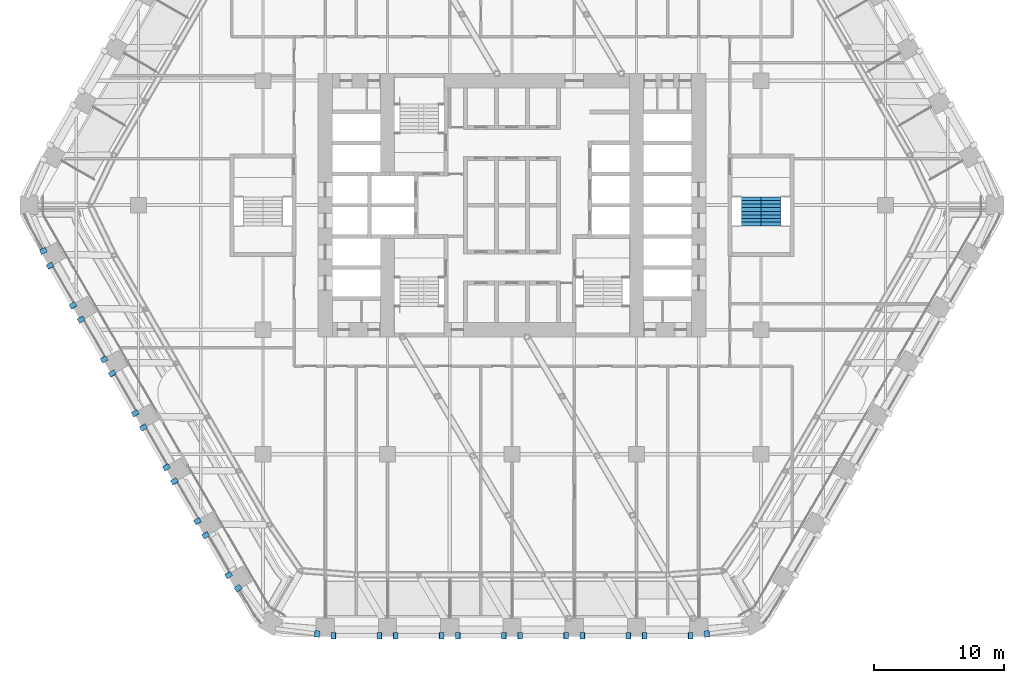
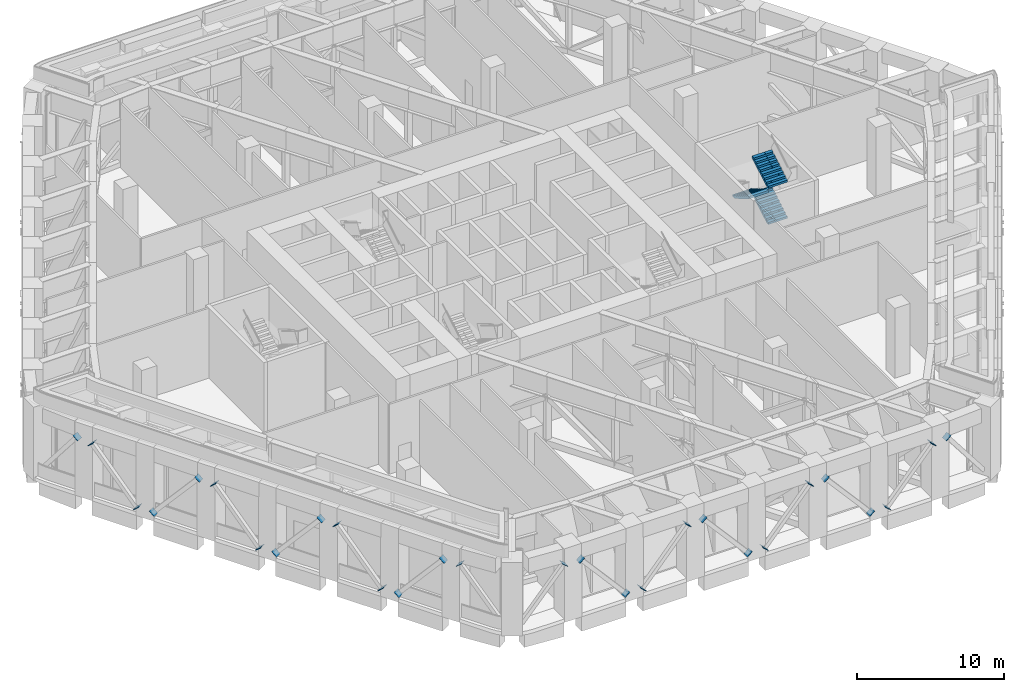
# One storey, part 27 of 35: 28 discrete accessories, 3 stair flights, 1 element without a shape of its own.
"""IFC4 building model written with IfcOpenShell, lengths in metres."""

import ifcopenshell
import ifcopenshell.guid

model = None  # the IFC model being written
_history = None  # IfcOwnerHistory: only IFC2X3 demands one
_inside = {}  # id of a spatial element -> (the spatial element, [elements in it])
_under = {}  # id of a project, library or spatial element -> (it, [spatial elements below it])
_declared = {}  # id of a project -> (the project, [libraries it declares])
_typed = {}  # id of a type object -> (the type object, [elements of that type])
_made_of = {}  # id of a material, layer set ... -> (it, [elements and type objects made of it])


def new_model(schema):
    """Start an empty IFC model of exactly this schema.

    Asked for "IFC4X3", IfcOpenShell would pick the latest addendum, in which some entities
    have other attributes; the version numbers below select the first issue.
    IFC2X3 requires an IfcOwnerHistory on every rooted entity: one is made here for all.
    """
    global model, _history
    if schema == "IFC4X3":
        model = ifcopenshell.file(schema_version=(4, 3, 0, 0))
    else:
        model = ifcopenshell.file(schema=schema)
    _inside.clear()
    _under.clear()
    _declared.clear()
    _typed.clear()
    _made_of.clear()
    _history = None
    if model.schema == "IFC2X3":
        org = make("IfcOrganization", Name="unknown")
        user = make(
            "IfcPersonAndOrganization",
            ThePerson=make("IfcPerson", FamilyName="unknown"),
            TheOrganization=org,
        )
        app = make(
            "IfcApplication",
            ApplicationDeveloper=org,
            Version="unknown",
            ApplicationFullName="unknown",
            ApplicationIdentifier="unknown",
        )
        _history = make(
            "IfcOwnerHistory",
            OwningUser=user,
            OwningApplication=app,
            ChangeAction="ADDED",
            CreationDate=0,
        )
    return model


def make(cls, **values):
    """One entity of the class cls with the attributes given. An attribute that is None is left unset."""
    return model.create_entity(
        cls, **{name: value for name, value in values.items() if value is not None}
    )


def rooted(cls, **values):
    """An entity with a GlobalId (a new one), such as an element, a storey or a relation."""
    return make(cls, GlobalId=ifcopenshell.guid.new(), OwnerHistory=_history, **values)


def si_unit(unit_type, name, prefix=None):
    """IfcSIUnit, for example si_unit("LENGTHUNIT", "METRE", prefix="MILLI")."""
    return make("IfcSIUnit", UnitType=unit_type, Prefix=prefix, Name=name)


def assignment(units):
    """IfcUnitAssignment: the units of a project."""
    return None if units is None else make("IfcUnitAssignment", Units=units)


def point(xyz):
    """IfcCartesianPoint."""
    return None if xyz is None else make("IfcCartesianPoint", Coordinates=xyz)


def direction(xyz):
    """IfcDirection."""
    return None if xyz is None else make("IfcDirection", DirectionRatios=xyz)


def frame(location, z_axis=None, x_axis=None):
    """IfcAxis2Placement3D, a coordinate frame: its origin and axes. An axis left out is left unset."""
    return make(
        "IfcAxis2Placement3D",
        Location=point(location),
        Axis=direction(z_axis),
        RefDirection=direction(x_axis),
    )


def frame_2d(location, x_axis=None):
    """IfcAxis2Placement2D, a coordinate frame in the plane: its origin and x axis."""
    return make(
        "IfcAxis2Placement2D", Location=point(location), RefDirection=direction(x_axis)
    )


def origin():
    """The frame at (0, 0, 0) with its axes left unset."""
    return frame((0.0, 0.0, 0.0))


def origin_2d():
    """The frame at (0, 0) in the plane with its x axis left unset."""
    return frame_2d((0.0, 0.0))


def place(relative_to, where):
    """IfcLocalPlacement: puts the frame where relative to a parent placement (None: the world)."""
    return make(
        "IfcLocalPlacement", PlacementRelTo=relative_to, RelativePlacement=where
    )


def context(
    kind, dimensions, precision=None, world=None, true_north=None, identifier=None
):
    """IfcGeometricRepresentationContext, for example the 3D "Model" context."""
    return make(
        "IfcGeometricRepresentationContext",
        ContextIdentifier=identifier,
        ContextType=kind,
        CoordinateSpaceDimension=dimensions,
        Precision=precision,
        WorldCoordinateSystem=world,
        TrueNorth=true_north,
    )


def subcontext(parent, identifier, kind, view, scale=None):
    """IfcGeometricRepresentationSubContext, for example "Body" below "Model"."""
    return make(
        "IfcGeometricRepresentationSubContext",
        ContextIdentifier=identifier,
        ContextType=kind,
        ParentContext=parent,
        TargetScale=scale,
        TargetView=view,
    )


def project(units=None, contexts=None):
    """IfcProject with its units and contexts."""
    return rooted(
        "IfcProject",
        Name="project",
        RepresentationContexts=contexts,
        UnitsInContext=assignment(units),
    )


def spatial(cls, under=None, at=None, **own):
    """A site, building, storey or space (cls), placed at a placement, below another one or the project."""
    s = rooted(cls, ObjectPlacement=at, **own)
    if under is not None:
        _under.setdefault(under.id(), (under, []))[1].append(s)
    return s


def polyline(points):
    """IfcPolyline through the points."""
    return make("IfcPolyline", Points=[point(p) for p in points])


def profile(cls, at=None, kind="AREA", **sizes):
    """A parametric profile (cls). Its sizes go by their IFC names, for example OverallWidth=200.0."""
    return make(cls, ProfileType=kind, Position=at, **sizes)


def rectangle(**sizes):
    """IfcRectangleProfileDef."""
    return profile("IfcRectangleProfileDef", **sizes)


def outline(outer, holes=None, kind="AREA"):
    """IfcArbitraryClosedProfileDef: a profile drawn as a closed curve; with holes, ...WithVoids."""
    if holes is None:
        return make("IfcArbitraryClosedProfileDef", ProfileType=kind, OuterCurve=outer)
    return make(
        "IfcArbitraryProfileDefWithVoids",
        ProfileType=kind,
        OuterCurve=outer,
        InnerCurves=holes,
    )


def extrude(swept, where, along, depth):
    """IfcExtrudedAreaSolid: the profile swept, set in the frame where, extruded along a direction by depth."""
    return make(
        "IfcExtrudedAreaSolid",
        SweptArea=swept,
        Position=where,
        ExtrudedDirection=direction(along),
        Depth=depth,
    )


def shape(context_of_items, identifier, shape_type, items):
    """IfcShapeRepresentation: the items that make up one representation, for example the "Body"."""
    return make(
        "IfcShapeRepresentation",
        ContextOfItems=context_of_items,
        RepresentationIdentifier=identifier,
        RepresentationType=shape_type,
        Items=items,
    )


def material(Name=None, Category=None):
    """IfcMaterial."""
    return make("IfcMaterial", Name=Name, Category=Category)


def made_of(thing, what):
    """Note that an element or type object is made of a material, layer set ...; save() writes the relation."""
    if what is not None:
        _made_of.setdefault(what.id(), (what, []))[1].append(thing)
    return thing


def type_object(cls, material=None, **own):
    """A type object (cls), such as IfcWallType, which elements share."""
    return made_of(rooted(cls, **own), material)


def element(
    cls,
    number,
    at=None,
    inside=None,
    cuts=None,
    type_object=None,
    material=None,
    context=None,
    identifier="Body",
    shape_type=None,
    held_by="IfcProductDefinitionShape",
    body=None,
    shapes=None,
    **own,
):
    """One element of the class cls, such as IfcWall. Its Tag is "e" and its number.

    at: its placement. inside: the storey or other place that contains it. cuts: it is an
    opening in that element (IfcRelVoidsElement). A single representation is given by context,
    identifier, shape_type and body (its items); several are given by shapes. held_by: the class
    of the entity that holds the representations. save() writes the other relations.
    """
    e = rooted(cls, Tag="e%d" % number, ObjectPlacement=at, **own)
    if body is not None:
        shapes = [shape(context, identifier, shape_type, body)]
    if shapes is not None:
        e.Representation = make(held_by, Representations=shapes)
    if inside is not None:
        _inside.setdefault(inside.id(), (inside, []))[1].append(e)
    if cuts is not None:
        rooted(
            "IfcRelVoidsElement", RelatingBuildingElement=cuts, RelatedOpeningElement=e
        )
    if type_object is not None:
        _typed.setdefault(type_object.id(), (type_object, []))[1].append(e)
    return made_of(e, material)


def aggregate(whole, parts):
    """IfcRelAggregates: a whole, such as a stair, and the parts it consists of."""
    return rooted("IfcRelAggregates", RelatingObject=whole, RelatedObjects=parts)


def save(model, path):
    """Write the relations noted so far, then the file.

    IfcRelAggregates (storeys below a building ...), IfcRelContainedInSpatialStructure (elements
    in a storey), IfcRelDefinesByType, IfcRelAssociatesMaterial and IfcRelDeclares: one each for
    every whole, place, type object, material and project.
    """
    for whole, parts in _under.values():
        aggregate(whole, parts)
    for where, things in _inside.values():
        rooted(
            "IfcRelContainedInSpatialStructure",
            RelatedElements=things,
            RelatingStructure=where,
        )
    for kind, things in _typed.values():
        rooted("IfcRelDefinesByType", RelatedObjects=things, RelatingType=kind)
    for what, things in _made_of.values():
        rooted("IfcRelAssociatesMaterial", RelatedObjects=things, RelatingMaterial=what)
    for by, libraries in _declared.values():
        rooted("IfcRelDeclares", RelatingContext=by, RelatedDefinitions=libraries)
    model.write(path)


model = new_model("IFC4")

# Units and contexts
model_context = context("Model", 3, precision=1e-05, world=origin(), true_north=direction((0.0, 1.0)))
body_context = subcontext(model_context, "Body", "Model", "MODEL_VIEW")
ifc_project = project(units=[si_unit("LENGTHUNIT", "METRE"), si_unit("AREAUNIT", "SQUARE_METRE"), si_unit("VOLUMEUNIT", "CUBIC_METRE"), si_unit("PLANEANGLEUNIT", "RADIAN"), si_unit("MASSUNIT", "GRAM", prefix="KILO")], contexts=[model_context])

# Site, building, storey
site_placement = place(None, origin())
site = spatial("IfcSite", under=ifc_project, at=site_placement, CompositionType="ELEMENT")
building_placement = place(site_placement, origin())
building = spatial("IfcBuilding", under=site, at=building_placement, Name="Kolab Exchange Tower", CompositionType="ELEMENT")
storey_placement = place(building_placement, frame((0.0, 0.0, 71.89990234375)))
storey = spatial("IfcBuildingStorey", under=building, at=storey_placement, Name="L13", CompositionType="ELEMENT", Elevation=71.89990234375)

# Stair, stair flights
ifc_material = material(Name="Concrete C50/60", Category="concrete")
stair_type = type_object("IfcStairType", Name="STAIR ST4 RISER 166.7", PredefinedType="DOUBLE_RETURN_STAIR", material=ifc_material)
stair_placement = place(storey_placement, origin())
stair = element("IfcStair", 1, at=stair_placement, inside=storey, type_object=stair_type, Name="Stair 4", PredefinedType="DOUBLE_RETURN_STAIR")
stair_flight_type = type_object("IfcStairFlightType", Name="STAIR FLIGHT 1500 RISER 166.7", PredefinedType="STRAIGHT", material=ifc_material)
stair_flight_1_placement = place(storey_placement, frame((19.9599609375, -1.590087890625, 1.5), z_axis=(0.0, 0.0, 1.0), x_axis=(0.0, 1.0, 0.0)))
stair_flight_1 = element("IfcStairFlight", 2, at=stair_flight_1_placement, type_object=stair_flight_type, Name="ST4 flight 2", NumberOfRisers=9, NumberOfTreads=8, PredefinedType="STRAIGHT", RiserHeight=0.166666667, TreadLength=0.28, context=body_context, shape_type="SweptSolid", body=[
    extrude(outline(polyline([(0.0, 0.0), (0.0, 0.166748046875), (0.280029296875, 0.166748046875), (0.280029296875, 0.333251953125), (0.56005859375, 0.333251953125), (0.56005859375, 0.5), (0.840087890625, 0.5), (0.840087890625, 0.666748046875), (1.1201171875, 0.666748046875), (1.1201171875, 0.833251953125), (1.39990234375, 0.833251953125), (1.39990234375, 1.0), (1.679931640625, 1.0), (1.679931640625, 1.166748046875), (1.9599609375, 1.166748046875), (1.9599609375, 1.333251953125), (2.239990234375, 1.333251953125), (2.239990234375, 1.5), (2.239990234375, 1.158935546875), (0.29296875, 0.0), (0.0, 0.0)])), frame((0.0, 0.75, 0.0), z_axis=(0.0, -1.0, 0.0), x_axis=(1.0, 0.0, 0.0)), (0.0, 0.0, 1.0), 0.185791015625),
    extrude(outline(polyline([(0.0, 0.0), (0.0, 0.166748046875), (0.280029296875, 0.166748046875), (0.280029296875, 0.333251953125), (0.56005859375, 0.333251953125), (0.56005859375, 0.5), (0.840087890625, 0.5), (0.840087890625, 0.666748046875), (1.1201171875, 0.666748046875), (1.1201171875, 0.833251953125), (1.39990234375, 0.833251953125), (1.39990234375, 1.0), (1.679931640625, 1.0), (1.679931640625, 1.166748046875), (1.9599609375, 1.166748046875), (1.9599609375, 1.333251953125), (2.239990234375, 1.333251953125), (2.239990234375, 1.5), (2.239990234375, 1.158935546875), (0.29296875, 0.0), (0.0, 0.0)])), frame((0.0, 0.562255859375, 0.0), z_axis=(0.0, -1.0, 0.0), x_axis=(1.0, 0.0, 0.0)), (0.0, 0.0, 1.0), 0.185791015625),
    extrude(outline(polyline([(0.0, 0.0), (0.0, 0.166748046875), (0.280029296875, 0.166748046875), (0.280029296875, 0.333251953125), (0.56005859375, 0.333251953125), (0.56005859375, 0.5), (0.840087890625, 0.5), (0.840087890625, 0.666748046875), (1.1201171875, 0.666748046875), (1.1201171875, 0.833251953125), (1.39990234375, 0.833251953125), (1.39990234375, 1.0), (1.679931640625, 1.0), (1.679931640625, 1.166748046875), (1.9599609375, 1.166748046875), (1.9599609375, 1.333251953125), (2.239990234375, 1.333251953125), (2.239990234375, 1.5), (2.239990234375, 1.158935546875), (0.29296875, 0.0), (0.0, 0.0)])), frame((0.0, 0.37451171875, 0.0), z_axis=(0.0, -1.0, 0.0), x_axis=(1.0, 0.0, 0.0)), (0.0, 0.0, 1.0), 0.185791015625),
    extrude(outline(polyline([(0.0, 0.0), (0.0, 0.166748046875), (0.280029296875, 0.166748046875), (0.280029296875, 0.333251953125), (0.56005859375, 0.333251953125), (0.56005859375, 0.5), (0.840087890625, 0.5), (0.840087890625, 0.666748046875), (1.1201171875, 0.666748046875), (1.1201171875, 0.833251953125), (1.39990234375, 0.833251953125), (1.39990234375, 1.0), (1.679931640625, 1.0), (1.679931640625, 1.166748046875), (1.9599609375, 1.166748046875), (1.9599609375, 1.333251953125), (2.239990234375, 1.333251953125), (2.239990234375, 1.5), (2.239990234375, 1.158935546875), (0.29296875, 0.0), (0.0, 0.0)])), frame((0.0, 0.186767578125, 0.0), z_axis=(0.0, -1.0, 0.0), x_axis=(1.0, 0.0, 0.0)), (0.0, 0.0, 1.0), 0.185791015625),
    extrude(outline(polyline([(0.0, 0.0), (0.0, 0.166748046875), (0.280029296875, 0.166748046875), (0.280029296875, 0.333251953125), (0.56005859375, 0.333251953125), (0.56005859375, 0.5), (0.840087890625, 0.5), (0.840087890625, 0.666748046875), (1.1201171875, 0.666748046875), (1.1201171875, 0.833251953125), (1.39990234375, 0.833251953125), (1.39990234375, 1.0), (1.679931640625, 1.0), (1.679931640625, 1.166748046875), (1.9599609375, 1.166748046875), (1.9599609375, 1.333251953125), (2.239990234375, 1.333251953125), (2.239990234375, 1.5), (2.239990234375, 1.158935546875), (0.29296875, 0.0), (0.0, 0.0)])), frame((0.0, -0.0009765625, 0.0), z_axis=(0.0, -1.0, 0.0), x_axis=(1.0, 0.0, 0.0)), (0.0, 0.0, 1.0), 0.185791015625),
    extrude(outline(polyline([(0.0, 0.0), (0.0, 0.166748046875), (0.280029296875, 0.166748046875), (0.280029296875, 0.333251953125), (0.56005859375, 0.333251953125), (0.56005859375, 0.5), (0.840087890625, 0.5), (0.840087890625, 0.666748046875), (1.1201171875, 0.666748046875), (1.1201171875, 0.833251953125), (1.39990234375, 0.833251953125), (1.39990234375, 1.0), (1.679931640625, 1.0), (1.679931640625, 1.166748046875), (1.9599609375, 1.166748046875), (1.9599609375, 1.333251953125), (2.239990234375, 1.333251953125), (2.239990234375, 1.5), (2.239990234375, 1.158935546875), (0.29296875, 0.0), (0.0, 0.0)])), frame((0.0, -0.188720703125, 0.0), z_axis=(0.0, -1.0, 0.0), x_axis=(1.0, 0.0, 0.0)), (0.0, 0.0, 1.0), 0.185791015625),
    extrude(outline(polyline([(0.0, 0.0), (0.0, 0.166748046875), (0.280029296875, 0.166748046875), (0.280029296875, 0.333251953125), (0.56005859375, 0.333251953125), (0.56005859375, 0.5), (0.840087890625, 0.5), (0.840087890625, 0.666748046875), (1.1201171875, 0.666748046875), (1.1201171875, 0.833251953125), (1.39990234375, 0.833251953125), (1.39990234375, 1.0), (1.679931640625, 1.0), (1.679931640625, 1.166748046875), (1.9599609375, 1.166748046875), (1.9599609375, 1.333251953125), (2.239990234375, 1.333251953125), (2.239990234375, 1.5), (2.239990234375, 1.158935546875), (0.29296875, 0.0), (0.0, 0.0)])), frame((0.0, -0.37646484375, 0.0), z_axis=(0.0, -1.0, 0.0), x_axis=(1.0, 0.0, 0.0)), (0.0, 0.0, 1.0), 0.185791015625),
    extrude(outline(polyline([(0.0, 0.0), (0.0, 0.166748046875), (0.280029296875, 0.166748046875), (0.280029296875, 0.333251953125), (0.56005859375, 0.333251953125), (0.56005859375, 0.5), (0.840087890625, 0.5), (0.840087890625, 0.666748046875), (1.1201171875, 0.666748046875), (1.1201171875, 0.833251953125), (1.39990234375, 0.833251953125), (1.39990234375, 1.0), (1.679931640625, 1.0), (1.679931640625, 1.166748046875), (1.9599609375, 1.166748046875), (1.9599609375, 1.333251953125), (2.239990234375, 1.333251953125), (2.239990234375, 1.5), (2.239990234375, 1.158935546875), (0.29296875, 0.0), (0.0, 0.0)])), frame((0.0, -0.564208984375, 0.0), z_axis=(0.0, -1.0, 0.0), x_axis=(1.0, 0.0, 0.0)), (0.0, 0.0, 1.0), 0.185791015625),
])
stair_flight_2_placement = place(storey_placement, frame((18.43994140625, 0.64990234375, 3.0), z_axis=(0.0, 0.0, 1.0), x_axis=(0.0, -1.0, 0.0)))
stair_flight_2 = element("IfcStairFlight", 3, at=stair_flight_2_placement, type_object=stair_flight_type, Name="ST4 flight 3", NumberOfRisers=9, NumberOfTreads=8, PredefinedType="STRAIGHT", RiserHeight=0.166666667, TreadLength=0.28, context=body_context, shape_type="SweptSolid", body=[
    extrude(outline(polyline([(0.0, 0.0), (0.0, 0.166748046875), (0.280029296875, 0.166748046875), (0.280029296875, 0.333251953125), (0.56005859375, 0.333251953125), (0.56005859375, 0.5), (0.840087890625, 0.5), (0.840087890625, 0.666748046875), (1.1201171875, 0.666748046875), (1.1201171875, 0.833251953125), (1.39990234375, 0.833251953125), (1.39990234375, 1.0), (1.679931640625, 1.0), (1.679931640625, 1.166748046875), (1.9599609375, 1.166748046875), (1.9599609375, 1.333251953125), (2.239990234375, 1.333251953125), (2.239990234375, 1.5), (2.239990234375, 1.158935546875), (0.29296875, 0.0), (0.0, 0.0)])), frame((0.0, 0.75, 0.0), z_axis=(0.0, -1.0, 0.0), x_axis=(1.0, 0.0, 0.0)), (0.0, 0.0, 1.0), 0.185791015625),
    extrude(outline(polyline([(0.0, 0.0), (0.0, 0.166748046875), (0.280029296875, 0.166748046875), (0.280029296875, 0.333251953125), (0.56005859375, 0.333251953125), (0.56005859375, 0.5), (0.840087890625, 0.5), (0.840087890625, 0.666748046875), (1.1201171875, 0.666748046875), (1.1201171875, 0.833251953125), (1.39990234375, 0.833251953125), (1.39990234375, 1.0), (1.679931640625, 1.0), (1.679931640625, 1.166748046875), (1.9599609375, 1.166748046875), (1.9599609375, 1.333251953125), (2.239990234375, 1.333251953125), (2.239990234375, 1.5), (2.239990234375, 1.158935546875), (0.29296875, 0.0), (0.0, 0.0)])), frame((0.0, 0.562255859375, 0.0), z_axis=(0.0, -1.0, 0.0), x_axis=(1.0, 0.0, 0.0)), (0.0, 0.0, 1.0), 0.185791015625),
    extrude(outline(polyline([(0.0, 0.0), (0.0, 0.166748046875), (0.280029296875, 0.166748046875), (0.280029296875, 0.333251953125), (0.56005859375, 0.333251953125), (0.56005859375, 0.5), (0.840087890625, 0.5), (0.840087890625, 0.666748046875), (1.1201171875, 0.666748046875), (1.1201171875, 0.833251953125), (1.39990234375, 0.833251953125), (1.39990234375, 1.0), (1.679931640625, 1.0), (1.679931640625, 1.166748046875), (1.9599609375, 1.166748046875), (1.9599609375, 1.333251953125), (2.239990234375, 1.333251953125), (2.239990234375, 1.5), (2.239990234375, 1.158935546875), (0.29296875, 0.0), (0.0, 0.0)])), frame((0.0, 0.37451171875, 0.0), z_axis=(0.0, -1.0, 0.0), x_axis=(1.0, 0.0, 0.0)), (0.0, 0.0, 1.0), 0.185791015625),
    extrude(outline(polyline([(0.0, 0.0), (0.0, 0.166748046875), (0.280029296875, 0.166748046875), (0.280029296875, 0.333251953125), (0.56005859375, 0.333251953125), (0.56005859375, 0.5), (0.840087890625, 0.5), (0.840087890625, 0.666748046875), (1.1201171875, 0.666748046875), (1.1201171875, 0.833251953125), (1.39990234375, 0.833251953125), (1.39990234375, 1.0), (1.679931640625, 1.0), (1.679931640625, 1.166748046875), (1.9599609375, 1.166748046875), (1.9599609375, 1.333251953125), (2.239990234375, 1.333251953125), (2.239990234375, 1.5), (2.239990234375, 1.158935546875), (0.29296875, 0.0), (0.0, 0.0)])), frame((0.0, 0.186767578125, 0.0), z_axis=(0.0, -1.0, 0.0), x_axis=(1.0, 0.0, 0.0)), (0.0, 0.0, 1.0), 0.185791015625),
    extrude(outline(polyline([(0.0, 0.0), (0.0, 0.166748046875), (0.280029296875, 0.166748046875), (0.280029296875, 0.333251953125), (0.56005859375, 0.333251953125), (0.56005859375, 0.5), (0.840087890625, 0.5), (0.840087890625, 0.666748046875), (1.1201171875, 0.666748046875), (1.1201171875, 0.833251953125), (1.39990234375, 0.833251953125), (1.39990234375, 1.0), (1.679931640625, 1.0), (1.679931640625, 1.166748046875), (1.9599609375, 1.166748046875), (1.9599609375, 1.333251953125), (2.239990234375, 1.333251953125), (2.239990234375, 1.5), (2.239990234375, 1.158935546875), (0.29296875, 0.0), (0.0, 0.0)])), frame((0.0, -0.0009765625, 0.0), z_axis=(0.0, -1.0, 0.0), x_axis=(1.0, 0.0, 0.0)), (0.0, 0.0, 1.0), 0.185791015625),
    extrude(outline(polyline([(0.0, 0.0), (0.0, 0.166748046875), (0.280029296875, 0.166748046875), (0.280029296875, 0.333251953125), (0.56005859375, 0.333251953125), (0.56005859375, 0.5), (0.840087890625, 0.5), (0.840087890625, 0.666748046875), (1.1201171875, 0.666748046875), (1.1201171875, 0.833251953125), (1.39990234375, 0.833251953125), (1.39990234375, 1.0), (1.679931640625, 1.0), (1.679931640625, 1.166748046875), (1.9599609375, 1.166748046875), (1.9599609375, 1.333251953125), (2.239990234375, 1.333251953125), (2.239990234375, 1.5), (2.239990234375, 1.158935546875), (0.29296875, 0.0), (0.0, 0.0)])), frame((0.0, -0.188720703125, 0.0), z_axis=(0.0, -1.0, 0.0), x_axis=(1.0, 0.0, 0.0)), (0.0, 0.0, 1.0), 0.185791015625),
    extrude(outline(polyline([(0.0, 0.0), (0.0, 0.166748046875), (0.280029296875, 0.166748046875), (0.280029296875, 0.333251953125), (0.56005859375, 0.333251953125), (0.56005859375, 0.5), (0.840087890625, 0.5), (0.840087890625, 0.666748046875), (1.1201171875, 0.666748046875), (1.1201171875, 0.833251953125), (1.39990234375, 0.833251953125), (1.39990234375, 1.0), (1.679931640625, 1.0), (1.679931640625, 1.166748046875), (1.9599609375, 1.166748046875), (1.9599609375, 1.333251953125), (2.239990234375, 1.333251953125), (2.239990234375, 1.5), (2.239990234375, 1.158935546875), (0.29296875, 0.0), (0.0, 0.0)])), frame((0.0, -0.37646484375, 0.0), z_axis=(0.0, -1.0, 0.0), x_axis=(1.0, 0.0, 0.0)), (0.0, 0.0, 1.0), 0.185791015625),
    extrude(outline(polyline([(0.0, 0.0), (0.0, 0.166748046875), (0.280029296875, 0.166748046875), (0.280029296875, 0.333251953125), (0.56005859375, 0.333251953125), (0.56005859375, 0.5), (0.840087890625, 0.5), (0.840087890625, 0.666748046875), (1.1201171875, 0.666748046875), (1.1201171875, 0.833251953125), (1.39990234375, 0.833251953125), (1.39990234375, 1.0), (1.679931640625, 1.0), (1.679931640625, 1.166748046875), (1.9599609375, 1.166748046875), (1.9599609375, 1.333251953125), (2.239990234375, 1.333251953125), (2.239990234375, 1.5), (2.239990234375, 1.158935546875), (0.29296875, 0.0), (0.0, 0.0)])), frame((0.0, -0.564208984375, 0.0), z_axis=(0.0, -1.0, 0.0), x_axis=(1.0, 0.0, 0.0)), (0.0, 0.0, 1.0), 0.185791015625),
])
stair_flight_3_placement = place(storey_placement, frame((19.9599609375, -1.590087890625, 4.5), z_axis=(0.0, 0.0, 1.0), x_axis=(0.0, 1.0, 0.0)))
stair_flight_3 = element("IfcStairFlight", 4, at=stair_flight_3_placement, type_object=stair_flight_type, Name="ST4 flight 4", NumberOfRisers=9, NumberOfTreads=8, PredefinedType="STRAIGHT", RiserHeight=0.166666667, TreadLength=0.28, context=body_context, shape_type="SweptSolid", body=[
    extrude(outline(polyline([(0.0, 0.0), (0.0, 0.166748046875), (0.280029296875, 0.166748046875), (0.280029296875, 0.333251953125), (0.56005859375, 0.333251953125), (0.56005859375, 0.5), (0.840087890625, 0.5), (0.840087890625, 0.666748046875), (1.1201171875, 0.666748046875), (1.1201171875, 0.833251953125), (1.39990234375, 0.833251953125), (1.39990234375, 1.0), (1.679931640625, 1.0), (1.679931640625, 1.166748046875), (1.9599609375, 1.166748046875), (1.9599609375, 1.333251953125), (2.239990234375, 1.333251953125), (2.239990234375, 1.5), (2.239990234375, 1.158935546875), (0.29296875, 0.0), (0.0, 0.0)])), frame((0.0, 0.75, 0.0), z_axis=(0.0, -1.0, 0.0), x_axis=(1.0, 0.0, 0.0)), (0.0, 0.0, 1.0), 0.185791015625),
    extrude(outline(polyline([(0.0, 0.0), (0.0, 0.166748046875), (0.280029296875, 0.166748046875), (0.280029296875, 0.333251953125), (0.56005859375, 0.333251953125), (0.56005859375, 0.5), (0.840087890625, 0.5), (0.840087890625, 0.666748046875), (1.1201171875, 0.666748046875), (1.1201171875, 0.833251953125), (1.39990234375, 0.833251953125), (1.39990234375, 1.0), (1.679931640625, 1.0), (1.679931640625, 1.166748046875), (1.9599609375, 1.166748046875), (1.9599609375, 1.333251953125), (2.239990234375, 1.333251953125), (2.239990234375, 1.5), (2.239990234375, 1.158935546875), (0.29296875, 0.0), (0.0, 0.0)])), frame((0.0, 0.562255859375, 0.0), z_axis=(0.0, -1.0, 0.0), x_axis=(1.0, 0.0, 0.0)), (0.0, 0.0, 1.0), 0.185791015625),
    extrude(outline(polyline([(0.0, 0.0), (0.0, 0.166748046875), (0.280029296875, 0.166748046875), (0.280029296875, 0.333251953125), (0.56005859375, 0.333251953125), (0.56005859375, 0.5), (0.840087890625, 0.5), (0.840087890625, 0.666748046875), (1.1201171875, 0.666748046875), (1.1201171875, 0.833251953125), (1.39990234375, 0.833251953125), (1.39990234375, 1.0), (1.679931640625, 1.0), (1.679931640625, 1.166748046875), (1.9599609375, 1.166748046875), (1.9599609375, 1.333251953125), (2.239990234375, 1.333251953125), (2.239990234375, 1.5), (2.239990234375, 1.158935546875), (0.29296875, 0.0), (0.0, 0.0)])), frame((0.0, 0.37451171875, 0.0), z_axis=(0.0, -1.0, 0.0), x_axis=(1.0, 0.0, 0.0)), (0.0, 0.0, 1.0), 0.185791015625),
    extrude(outline(polyline([(0.0, 0.0), (0.0, 0.166748046875), (0.280029296875, 0.166748046875), (0.280029296875, 0.333251953125), (0.56005859375, 0.333251953125), (0.56005859375, 0.5), (0.840087890625, 0.5), (0.840087890625, 0.666748046875), (1.1201171875, 0.666748046875), (1.1201171875, 0.833251953125), (1.39990234375, 0.833251953125), (1.39990234375, 1.0), (1.679931640625, 1.0), (1.679931640625, 1.166748046875), (1.9599609375, 1.166748046875), (1.9599609375, 1.333251953125), (2.239990234375, 1.333251953125), (2.239990234375, 1.5), (2.239990234375, 1.158935546875), (0.29296875, 0.0), (0.0, 0.0)])), frame((0.0, 0.186767578125, 0.0), z_axis=(0.0, -1.0, 0.0), x_axis=(1.0, 0.0, 0.0)), (0.0, 0.0, 1.0), 0.185791015625),
    extrude(outline(polyline([(0.0, 0.0), (0.0, 0.166748046875), (0.280029296875, 0.166748046875), (0.280029296875, 0.333251953125), (0.56005859375, 0.333251953125), (0.56005859375, 0.5), (0.840087890625, 0.5), (0.840087890625, 0.666748046875), (1.1201171875, 0.666748046875), (1.1201171875, 0.833251953125), (1.39990234375, 0.833251953125), (1.39990234375, 1.0), (1.679931640625, 1.0), (1.679931640625, 1.166748046875), (1.9599609375, 1.166748046875), (1.9599609375, 1.333251953125), (2.239990234375, 1.333251953125), (2.239990234375, 1.5), (2.239990234375, 1.158935546875), (0.29296875, 0.0), (0.0, 0.0)])), frame((0.0, -0.0009765625, 0.0), z_axis=(0.0, -1.0, 0.0), x_axis=(1.0, 0.0, 0.0)), (0.0, 0.0, 1.0), 0.185791015625),
    extrude(outline(polyline([(0.0, 0.0), (0.0, 0.166748046875), (0.280029296875, 0.166748046875), (0.280029296875, 0.333251953125), (0.56005859375, 0.333251953125), (0.56005859375, 0.5), (0.840087890625, 0.5), (0.840087890625, 0.666748046875), (1.1201171875, 0.666748046875), (1.1201171875, 0.833251953125), (1.39990234375, 0.833251953125), (1.39990234375, 1.0), (1.679931640625, 1.0), (1.679931640625, 1.166748046875), (1.9599609375, 1.166748046875), (1.9599609375, 1.333251953125), (2.239990234375, 1.333251953125), (2.239990234375, 1.5), (2.239990234375, 1.158935546875), (0.29296875, 0.0), (0.0, 0.0)])), frame((0.0, -0.188720703125, 0.0), z_axis=(0.0, -1.0, 0.0), x_axis=(1.0, 0.0, 0.0)), (0.0, 0.0, 1.0), 0.185791015625),
    extrude(outline(polyline([(0.0, 0.0), (0.0, 0.166748046875), (0.280029296875, 0.166748046875), (0.280029296875, 0.333251953125), (0.56005859375, 0.333251953125), (0.56005859375, 0.5), (0.840087890625, 0.5), (0.840087890625, 0.666748046875), (1.1201171875, 0.666748046875), (1.1201171875, 0.833251953125), (1.39990234375, 0.833251953125), (1.39990234375, 1.0), (1.679931640625, 1.0), (1.679931640625, 1.166748046875), (1.9599609375, 1.166748046875), (1.9599609375, 1.333251953125), (2.239990234375, 1.333251953125), (2.239990234375, 1.5), (2.239990234375, 1.158935546875), (0.29296875, 0.0), (0.0, 0.0)])), frame((0.0, -0.37646484375, 0.0), z_axis=(0.0, -1.0, 0.0), x_axis=(1.0, 0.0, 0.0)), (0.0, 0.0, 1.0), 0.185791015625),
    extrude(outline(polyline([(0.0, 0.0), (0.0, 0.166748046875), (0.280029296875, 0.166748046875), (0.280029296875, 0.333251953125), (0.56005859375, 0.333251953125), (0.56005859375, 0.5), (0.840087890625, 0.5), (0.840087890625, 0.666748046875), (1.1201171875, 0.666748046875), (1.1201171875, 0.833251953125), (1.39990234375, 0.833251953125), (1.39990234375, 1.0), (1.679931640625, 1.0), (1.679931640625, 1.166748046875), (1.9599609375, 1.166748046875), (1.9599609375, 1.333251953125), (2.239990234375, 1.333251953125), (2.239990234375, 1.5), (2.239990234375, 1.158935546875), (0.29296875, 0.0), (0.0, 0.0)])), frame((0.0, -0.564208984375, 0.0), z_axis=(0.0, -1.0, 0.0), x_axis=(1.0, 0.0, 0.0)), (0.0, 0.0, 1.0), 0.185791015625),
])
aggregate(stair, [stair_flight_1, stair_flight_2, stair_flight_3])

# Discrete accessories
for number, where, z_axis, x_axis, name in (
    (5, (15.029296875, -33.052734375, 4.4501953125), (-0.605953208788, -0.078187510811, 0.791648546965), (0.12797133763, -0.991777866634, 0.0), "Gusset plate"),
    (6, (13.76611328125, -33.1796875, 4.4501953125), (0.656421241451, 0.0, 0.75439456107), (0.0, 1.0, 0.0), "Gusset plate"),
    (7, (10.23388671875, -33.1796875, 0.400146484375), (-0.656421241451, 0.0, -0.75439456107), (0.0, -1.0, 0.0), "Gusset plate"),
    (8, (8.966064453125, -33.1796875, 0.400146484375), (0.656421241451, 0.0, -0.75439456107), (0.0, 1.0, 0.0), "Gusset plate"),
    (9, (5.433837890625, -33.1796875, 4.4501953125), (-0.656421241451, 0.0, 0.75439456107), (0.0, -1.0, 0.0), "Gusset plate"),
):
    element("IfcDiscreteAccessory", number, at=place(storey_placement, frame(where, z_axis=z_axis, x_axis=x_axis)), inside=storey, Name=name, ObjectType="GUSSET PLATE", PredefinedType="USERDEFINED", context=body_context, shape_type="SweptSolid", body=[
        extrude(rectangle(XDim=0.5, YDim=0.5, at=origin_2d()), origin(), (0.0, 0.0, 1.0), 0.02490234375),
    ])
discrete_accessory_1_placement = place(storey_placement, frame((4.166015625, -33.1796875, 4.4501953125), z_axis=(0.661943533071, 0.0, 0.749553706565), x_axis=(0.0, 1.0, 0.0)))
element("IfcDiscreteAccessory", 10, at=discrete_accessory_1_placement, inside=storey, Name="Gusset plate", ObjectType="GUSSET PLATE", PredefinedType="USERDEFINED", context=body_context, shape_type="SweptSolid", body=[
    extrude(rectangle(XDim=0.5, YDim=0.5, at=origin_2d()), origin(), (0.0, 0.0, 1.0), 0.025146484375),
])
for number, where, z_axis, x_axis, name in (
    (11, (0.6337890625, -33.1796875, 0.400146484375), (-0.656421241451, 0.0, -0.75439456107), (0.0, -1.0, 0.0), "Gusset plate"),
    (12, (-0.6337890625, -33.1796875, 0.400146484375), (0.656421241451, 0.0, -0.75439456107), (0.0, 1.0, 0.0), "Gusset plate"),
):
    element("IfcDiscreteAccessory", number, at=place(storey_placement, frame(where, z_axis=z_axis, x_axis=x_axis)), inside=storey, Name=name, ObjectType="GUSSET PLATE", PredefinedType="USERDEFINED", context=body_context, shape_type="SweptSolid", body=[
        extrude(rectangle(XDim=0.5, YDim=0.5, at=origin_2d()), origin(), (0.0, 0.0, 1.0), 0.02490234375),
    ])
discrete_accessory_2_placement = place(storey_placement, frame((-4.166015625, -33.1796875, 4.4501953125), z_axis=(-0.661943533071, 0.0, 0.749553706565), x_axis=(0.0, -1.0, 0.0)))
element("IfcDiscreteAccessory", 13, at=discrete_accessory_2_placement, inside=storey, Name="Gusset plate", ObjectType="GUSSET PLATE", PredefinedType="USERDEFINED", context=body_context, shape_type="SweptSolid", body=[
    extrude(rectangle(XDim=0.5, YDim=0.5, at=origin_2d()), origin(), (0.0, 0.0, 1.0), 0.025146484375),
])
for number, where, z_axis, x_axis, name in (
    (14, (-5.433837890625, -33.1796875, 4.4501953125), (0.656421241451, 0.0, 0.75439456107), (0.0, 1.0, 0.0), "Gusset plate"),
    (15, (-8.966064453125, -33.1796875, 0.400146484375), (-0.656421241451, 0.0, -0.75439456107), (0.0, -1.0, 0.0), "Gusset plate"),
    (16, (-10.23388671875, -33.1796875, 0.400146484375), (0.656421241451, 0.0, -0.75439456107), (0.0, 1.0, 0.0), "Gusset plate"),
    (17, (-13.76611328125, -33.1796875, 4.4501953125), (-0.656421241451, 0.0, 0.75439456107), (0.0, -1.0, 0.0), "Gusset plate"),
    (18, (-15.029296875, -33.052734375, 4.4501953125), (0.605953208788, -0.078187510811, 0.791648546965), (0.12797133763, 0.991777866634, 0.0), "Gusset plate"),
    (19, (-21.110107421875, -29.5419921875, 4.4501953125), (-0.362292688761, 0.489584714542, 0.793127237558), (-0.803841899203, -0.59484300541, 0.0), "Gusset plate"),
    (20, (-21.851318359375, -28.51171875, 4.4501953125), (0.332614786834, -0.567401695188, 0.753274664301), (0.862697970098, 0.505719499712, 0.0), "Gusset plate"),
    (21, (-23.617431640625, -25.45263671875, 0.400146484375), (-0.332614786834, 0.567401695188, -0.753274664301), (-0.862697970098, -0.505719499712, 0.0), "Gusset plate"),
    (22, (-24.251220703125, -24.354736328125, 0.400146484375), (0.323872018217, -0.569229607776, -0.75570137584), (0.869163832024, 0.494524249255, 0.0), "Gusset plate"),
    (23, (-26.017578125, -21.295654296875, 4.4501953125), (-0.323872018217, 0.569229607776, 0.75570137584), (-0.869163832024, -0.494524249255, 0.0), "Gusset plate"),
    (24, (-26.6513671875, -20.19775390625, 4.4501953125), (0.332614786834, -0.567401695188, 0.753274664301), (0.862697970098, 0.505719499712, 0.0), "Gusset plate"),
):
    element("IfcDiscreteAccessory", number, at=place(storey_placement, frame(where, z_axis=z_axis, x_axis=x_axis)), inside=storey, Name=name, ObjectType="GUSSET PLATE", PredefinedType="USERDEFINED", context=body_context, shape_type="SweptSolid", body=[
        extrude(rectangle(XDim=0.5, YDim=0.5, at=origin_2d()), origin(), (0.0, 0.0, 1.0), 0.02490234375),
    ])
discrete_accessory_3_placement = place(storey_placement, frame((-28.41748046875, -17.138916015625, 0.400146484375), z_axis=(-0.330768096403, 0.573979931994, -0.749092453619), x_axis=(-0.866429964967, -0.499298623879, 0.0)))
element("IfcDiscreteAccessory", 25, at=discrete_accessory_3_placement, inside=storey, Name="Gusset plate", ObjectType="GUSSET PLATE", PredefinedType="USERDEFINED", context=body_context, shape_type="SweptSolid", body=[
    extrude(rectangle(XDim=0.5, YDim=0.5, at=origin_2d()), origin(), (0.0, 0.0, 1.0), 0.025146484375),
])
for number, where, z_axis, x_axis, name in (
    (26, (-29.05126953125, -16.041015625, 0.400146484375), (0.323872018217, -0.569229607776, -0.75570137584), (0.869163832024, 0.494524249255, 0.0), "Gusset plate"),
    (27, (-30.8173828125, -12.981689453125, 4.4501953125), (-0.332614786834, 0.567401695188, 0.753274664301), (-0.862697970098, -0.505719499712, 0.0), "Gusset plate"),
    (28, (-31.451416015625, -11.884033203125, 4.4501953125), (0.332614786834, -0.567401695188, 0.753274664301), (0.862697970098, 0.505719499712, 0.0), "Gusset plate"),
    (29, (-33.217529296875, -8.824951171875, 0.400146484375), (-0.323872018217, 0.569229607776, -0.75570137584), (-0.869163832024, -0.494524249255, 0.0), "Gusset plate"),
    (30, (-33.851318359375, -7.72705078125, 0.400146484375), (0.332614786834, -0.567401695188, -0.753274664301), (0.862697970098, 0.505719499712, 0.0), "Gusset plate"),
    (31, (-35.617431640625, -4.66796875, 4.4501953125), (-0.332614786834, 0.567401695188, 0.753274664301), (-0.862697970098, -0.505719499712, 0.0), "Gusset plate"),
    (32, (-36.13916015625, -3.5107421875, 4.4501953125), (0.234204865161, -0.565995090805, 0.790441419917), (0.924016832422, 0.382351792726, 0.0), "Gusset plate"),
):
    element("IfcDiscreteAccessory", number, at=place(storey_placement, frame(where, z_axis=z_axis, x_axis=x_axis)), inside=storey, Name=name, ObjectType="GUSSET PLATE", PredefinedType="USERDEFINED", context=body_context, shape_type="SweptSolid", body=[
        extrude(rectangle(XDim=0.5, YDim=0.5, at=origin_2d()), origin(), (0.0, 0.0, 1.0), 0.02490234375),
    ])

save(model, "model.ifc")
